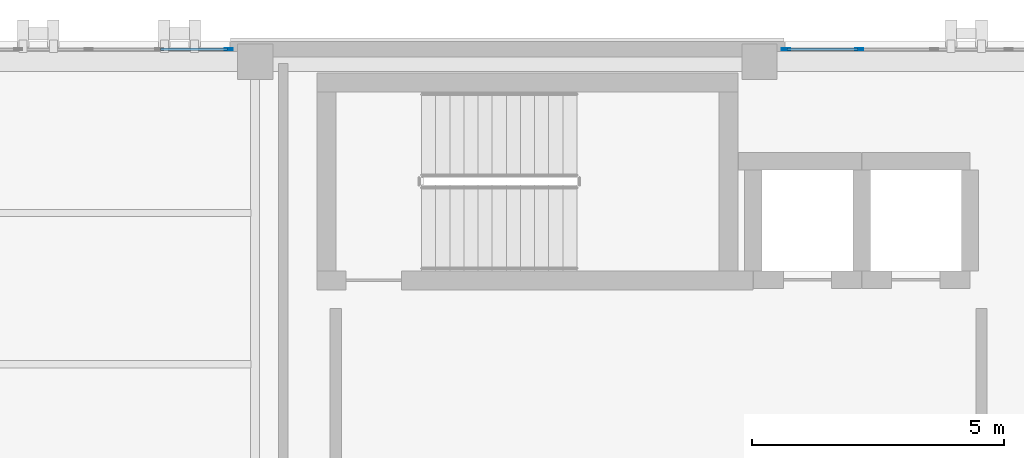
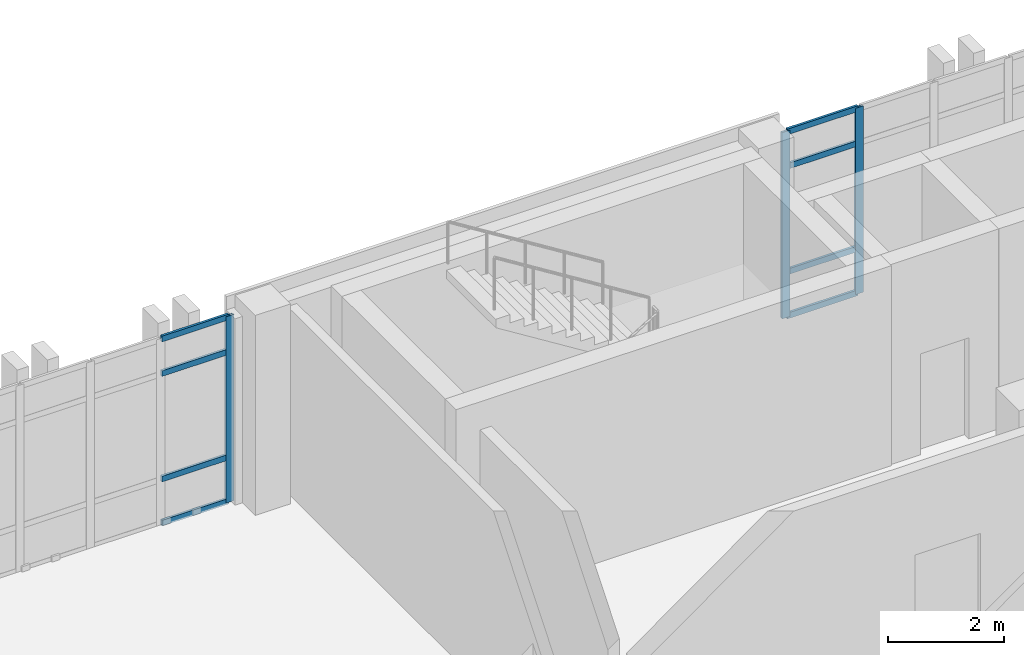
# One storey, part 94 of 193: 11 members, 2 elements without a shape of their own.
"""IFC4 building model written with IfcOpenShell, lengths in metres."""

from ifc_helpers import new_model, si_unit, direction, frame, origin, origin_2d, place, context, subcontext, project, spatial, hollow_rectangle, extrude, material, layer, layer_set, material_profile, profile_set, type_object, element, aggregate, save


model = new_model("IFC4")

# Units and contexts
model_context = context("Model", 3, precision=1e-05, world=origin(), true_north=direction((0.0, 1.0)))
body_context = subcontext(model_context, "Body", "Model", "MODEL_VIEW")
ifc_project = project(units=[si_unit("LENGTHUNIT", "METRE"), si_unit("AREAUNIT", "SQUARE_METRE"), si_unit("VOLUMEUNIT", "CUBIC_METRE"), si_unit("PLANEANGLEUNIT", "RADIAN"), si_unit("MASSUNIT", "GRAM", prefix="KILO")], contexts=[model_context])

# Site, building, storey
site_placement = place(None, origin())
site = spatial("IfcSite", under=ifc_project, at=site_placement, CompositionType="ELEMENT")
building_placement = place(site_placement, origin())
building = spatial("IfcBuilding", under=site, at=building_placement, Name="Qalavern Law Courts", CompositionType="ELEMENT")
storey_placement = place(building_placement, frame((0.0, 0.0, 10.199951171875)))
storey = spatial("IfcBuildingStorey", under=building, at=storey_placement, Name="L02", CompositionType="ELEMENT", Elevation=10.199951171875)

# Curtain wall, members
ifc_material_1 = material(Name="Anodised aluminium and insulated glazing", Category="aluminium")
ifc_layer = layer(ifc_material_1, 0.166015625)
ifc_layer_set = layer_set([ifc_layer], Name="Anodised aluminium and insulated glazing")
curtain_wall_type = type_object("IfcCurtainWallType", Name="ENV-CW-LIB", PredefinedType="USERDEFINED", material=ifc_layer_set)
curtain_wall_1_placement = place(storey_placement, origin())
curtain_wall_1 = element("IfcCurtainWall", 1, at=curtain_wall_1_placement, inside=storey, type_object=curtain_wall_type, Name="V5 unitised curtain wall L02 north 5", ObjectType="UNITISED CURTAIN WALL", PredefinedType="USERDEFINED")
ifc_material_2 = material(Name="Anodised aluminium", Category="aluminium")
ifc_material_profile_1 = material_profile(ifc_material_2, hollow_rectangle(XDim=0.048095703125, YDim=0.159912109375, WallThickness=0.00390625, at=origin_2d()), Name="ALU MULLION 48x160")
ifc_profile_set_1 = profile_set([ifc_material_profile_1], Name="Anodised aluminium")
member_type_1 = type_object("IfcMemberType", Name="ENV-CWM-48x160", PredefinedType="MULLION", material=ifc_profile_set_1)
member_1_placement = place(storey_placement, frame((30.3798828125, 112.844970703125, 0.0), z_axis=(0.0, 0.0, 1.0), x_axis=(0.0, -1.0, 0.0)))
member_1 = element("IfcMember", 2, at=member_1_placement, type_object=member_type_1, Name="CW-05 mullion 5", PredefinedType="MULLION", context=body_context, shape_type="SweptSolid", body=[
    extrude(hollow_rectangle(XDim=0.048095703125, YDim=0.159912109375, WallThickness=0.00390625, at=origin_2d()), origin(), (0.0, 0.0, 1.0), 3.9150390625),
])
member_2_placement = place(storey_placement, frame((28.924072265625, 112.844970703125, 0.0), z_axis=(0.0, 0.0, 1.0), x_axis=(0.0, -1.0, 0.0)))
member_2 = element("IfcMember", 3, at=member_2_placement, type_object=member_type_1, Name="CW-05 mullion 6", PredefinedType="MULLION", context=body_context, shape_type="SweptSolid", body=[
    extrude(hollow_rectangle(XDim=0.048095703125, YDim=0.159912109375, WallThickness=0.00390625, at=origin_2d()), origin(), (0.0, 0.0, 1.0), 3.9150390625),
])

# Curtain wall, member
curtain_wall_2_placement = place(storey_placement, origin())
curtain_wall_2 = element("IfcCurtainWall", 4, at=curtain_wall_2_placement, inside=storey, type_object=curtain_wall_type, Name="V5 unitised curtain wall L02 north 6", ObjectType="UNITISED CURTAIN WALL", PredefinedType="USERDEFINED")
member_3_placement = place(storey_placement, frame((17.8759765625, 112.844970703125, 0.0), z_axis=(0.0, 0.0, 1.0), x_axis=(0.0, -1.0, 0.0)))
member_3 = element("IfcMember", 5, at=member_3_placement, type_object=member_type_1, Name="CW-05 mullion 1", PredefinedType="MULLION", context=body_context, shape_type="SweptSolid", body=[
    extrude(hollow_rectangle(XDim=0.048095703125, YDim=0.159912109375, WallThickness=0.00390625, at=origin_2d()), origin(), (0.0, 0.0, 1.0), 3.9150390625),
])

# Member
ifc_material_profile_2 = material_profile(ifc_material_2, hollow_rectangle(XDim=0.048095703125, YDim=0.1201171875, WallThickness=0.00390625, at=origin_2d()), Name="ALU TRANSOM 48x120")
ifc_profile_set_2 = profile_set([ifc_material_profile_2], Name="Anodised aluminium")
member_type_2 = type_object("IfcMemberType", Name="ENV-CWT-48x120", PredefinedType="USERDEFINED", material=ifc_profile_set_2)
member_4_placement = place(storey_placement, frame((30.35595703125, 112.844970703125, 0.024169921875), z_axis=(-1.0, 0.0, 0.0), x_axis=(0.0, -1.0, 0.0)))
member_4 = element("IfcMember", 6, at=member_4_placement, type_object=member_type_2, Name="CW-05 transom 5.1", ObjectType="TRANSOM", PredefinedType="USERDEFINED", context=body_context, shape_type="SweptSolid", body=[
    extrude(hollow_rectangle(XDim=0.048095703125, YDim=0.1201171875, WallThickness=0.00390625, at=origin_2d()), origin(), (0.0, 0.0, 1.0), 1.407958984375),
])

member_5_placement = place(storey_placement, frame((30.35595703125, 112.844970703125, 0.949951171875), z_axis=(-1.0, 0.0, 0.0), x_axis=(0.0, -1.0, 0.0)))
member_5 = element("IfcMember", 7, at=member_5_placement, type_object=member_type_2, Name="CW-05 transom 5.2", ObjectType="TRANSOM", PredefinedType="USERDEFINED", context=body_context, shape_type="SweptSolid", body=[
    extrude(hollow_rectangle(XDim=0.048095703125, YDim=0.1201171875, WallThickness=0.00390625, at=origin_2d()), origin(), (0.0, 0.0, 1.0), 1.407958984375),
])

member_6_placement = place(storey_placement, frame((30.35595703125, 112.844970703125, 3.1650390625), z_axis=(-1.0, 0.0, 0.0), x_axis=(0.0, -1.0, 0.0)))
member_6 = element("IfcMember", 8, at=member_6_placement, type_object=member_type_2, Name="CW-05 transom 5.3", ObjectType="TRANSOM", PredefinedType="USERDEFINED", context=body_context, shape_type="SweptSolid", body=[
    extrude(hollow_rectangle(XDim=0.048095703125, YDim=0.1201171875, WallThickness=0.00390625, at=origin_2d()), origin(), (0.0, 0.0, 1.0), 1.407958984375),
])

member_7_placement = place(storey_placement, frame((30.35595703125, 112.844970703125, 3.89111328125), z_axis=(-1.0, 0.0, 0.0), x_axis=(0.0, -1.0, 0.0)))
member_7 = element("IfcMember", 9, at=member_7_placement, type_object=member_type_2, Name="CW-05 transom 5.4", ObjectType="TRANSOM", PredefinedType="USERDEFINED", context=body_context, shape_type="SweptSolid", body=[
    extrude(hollow_rectangle(XDim=0.048095703125, YDim=0.1201171875, WallThickness=0.00390625, at=origin_2d()), origin(), (0.0, 0.0, 1.0), 1.407958984375),
])

aggregate(curtain_wall_1, [member_1, member_2, member_4, member_5, member_6, member_7])

member_8_placement = place(storey_placement, frame((17.85205078125, 112.844970703125, 0.024169921875), z_axis=(-1.0, 0.0, 0.0), x_axis=(0.0, -1.0, 0.0)))
member_8 = element("IfcMember", 10, at=member_8_placement, type_object=member_type_2, Name="CW-05 transom 1.1", ObjectType="TRANSOM", PredefinedType="USERDEFINED", context=body_context, shape_type="SweptSolid", body=[
    extrude(hollow_rectangle(XDim=0.048095703125, YDim=0.1201171875, WallThickness=0.00390625, at=origin_2d()), origin(), (0.0, 0.0, 1.0), 1.328125),
])

member_9_placement = place(storey_placement, frame((17.85205078125, 112.844970703125, 0.949951171875), z_axis=(-1.0, 0.0, 0.0), x_axis=(0.0, -1.0, 0.0)))
member_9 = element("IfcMember", 11, at=member_9_placement, type_object=member_type_2, Name="CW-05 transom 1.2", ObjectType="TRANSOM", PredefinedType="USERDEFINED", context=body_context, shape_type="SweptSolid", body=[
    extrude(hollow_rectangle(XDim=0.048095703125, YDim=0.1201171875, WallThickness=0.00390625, at=origin_2d()), origin(), (0.0, 0.0, 1.0), 1.328125),
])

member_10_placement = place(storey_placement, frame((17.85205078125, 112.844970703125, 3.1650390625), z_axis=(-1.0, 0.0, 0.0), x_axis=(0.0, -1.0, 0.0)))
member_10 = element("IfcMember", 12, at=member_10_placement, type_object=member_type_2, Name="CW-05 transom 1.3", ObjectType="TRANSOM", PredefinedType="USERDEFINED", context=body_context, shape_type="SweptSolid", body=[
    extrude(hollow_rectangle(XDim=0.048095703125, YDim=0.1201171875, WallThickness=0.00390625, at=origin_2d()), origin(), (0.0, 0.0, 1.0), 1.328125),
])

member_11_placement = place(storey_placement, frame((17.85205078125, 112.844970703125, 3.89111328125), z_axis=(-1.0, 0.0, 0.0), x_axis=(0.0, -1.0, 0.0)))
member_11 = element("IfcMember", 13, at=member_11_placement, type_object=member_type_2, Name="CW-05 transom 1.4", ObjectType="TRANSOM", PredefinedType="USERDEFINED", context=body_context, shape_type="SweptSolid", body=[
    extrude(hollow_rectangle(XDim=0.048095703125, YDim=0.1201171875, WallThickness=0.00390625, at=origin_2d()), origin(), (0.0, 0.0, 1.0), 1.328125),
])

aggregate(curtain_wall_2, [member_3, member_8, member_9, member_10, member_11])

save(model, "model.ifc")
